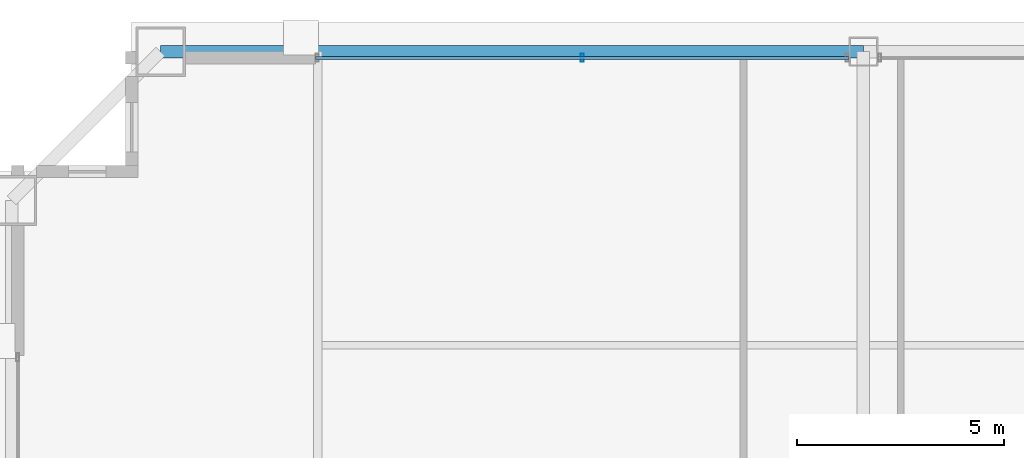
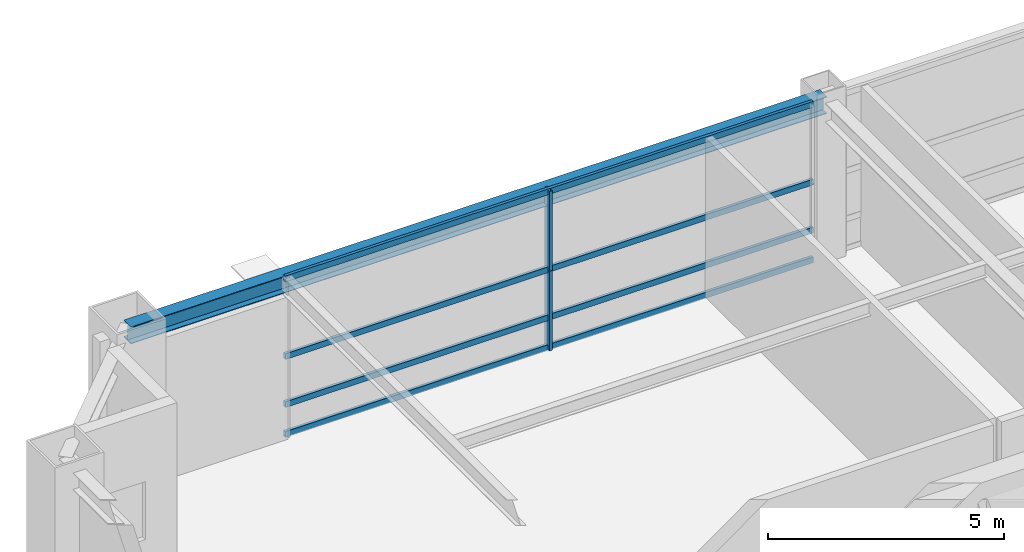
# One storey, part 18 of 26: 6 members, 1 beam, 1 element without a shape of its own.
"""IFC4 building model written with IfcOpenShell, lengths in metres."""

from ifc_helpers import new_model, si_unit, direction, frame, origin, origin_2d, place, context, subcontext, project, spatial, hollow_rectangle, i_section, extrude, source, transform, mapped, material, layer, layer_set, material_profile, profile_set, type_object, element, aggregate, save


model = new_model("IFC4")

# Units and contexts
model_context = context("Model", 3, precision=1e-05, world=origin(), true_north=direction((0.0, 1.0)))
body_context = subcontext(model_context, "Body", "Model", "MODEL_VIEW")
ifc_project = project(units=[si_unit("LENGTHUNIT", "METRE"), si_unit("AREAUNIT", "SQUARE_METRE"), si_unit("VOLUMEUNIT", "CUBIC_METRE"), si_unit("PLANEANGLEUNIT", "RADIAN"), si_unit("MASSUNIT", "GRAM", prefix="KILO"), si_unit("THERMODYNAMICTEMPERATUREUNIT", "KELVIN"), si_unit("POWERUNIT", "WATT")], contexts=[model_context])

# Site, building, storey
site_placement = place(None, origin())
site = spatial("IfcSite", under=ifc_project, at=site_placement, CompositionType="ELEMENT")
building_placement = place(site_placement, origin())
building = spatial("IfcBuilding", under=site, at=building_placement, Name="Yuzanri Waterfront Tower", CompositionType="ELEMENT")
storey_placement = place(building_placement, frame((0.0, 0.0, 259.10009765625)))
storey = spatial("IfcBuildingStorey", under=building, at=storey_placement, Name="L69", CompositionType="ELEMENT", Elevation=259.10009765625)

# Beam
ifc_material_1 = material(Name="Steel Q355B", Category="steel")
ifc_material_profile_1 = material_profile(ifc_material_1, i_section(OverallWidth=0.300048828125, OverallDepth=0.43994140625, WebThickness=0.010986328125, FlangeThickness=0.01806640625, at=origin_2d()), Name="HM 440x300x11x18")
ifc_profile_set_1 = profile_set([ifc_material_profile_1], Name="Steel Q355B")
beam_type = type_object("IfcBeamType", Name="Perimeter Spandrel Q355B HM 440x300", PredefinedType="SPANDREL", material=ifc_profile_set_1)
shared_shape_1 = source(origin(), body_context, "Body", "SweptSolid", [
    extrude(i_section(OverallWidth=0.300048828125, OverallDepth=0.43994140625, WebThickness=0.010986328125, FlangeThickness=0.01806640625, at=origin_2d()), origin(), (0.0, 0.0, 1.0), 17.0),
])
beam_placement = place(storey_placement, frame((37.0, 46.39990234375, 3.89990234375), z_axis=(-1.0, 0.0, 0.0), x_axis=(0.0, -1.0, 0.0)))
element("IfcBeam", 1, at=beam_placement, inside=storey, type_object=beam_type, Name="L69 Perimeter Spandrel N2-N1", PredefinedType="SPANDREL", context=body_context, shape_type="MappedRepresentation", body=[
    mapped(shared_shape_1, transform((0.0, 0.0, 0.0), scale=1.0)),
])

# Curtain wall, members
ifc_material_2 = material(Name="Anodized Architectural Bronze", Category="metal")
ifc_layer = layer(ifc_material_2, 0.159912109375)
ifc_layer_set = layer_set([ifc_layer], Name="Anodized Architectural Bronze")
curtain_wall_type = type_object("IfcCurtainWallType", Name="Anodized Bronze Sky-Lobby Triple-Glazed Feature Curtain Wall 7500", PredefinedType="NOTDEFINED", material=ifc_layer_set)
curtain_wall_placement = place(storey_placement, origin())
curtain_wall = element("IfcCurtainWall", 2, at=curtain_wall_placement, inside=storey, type_object=curtain_wall_type, Name="L69 Curtain Wall CW-L69-NL", PredefinedType="NOTDEFINED")
ifc_material_3 = material(Name="Anodized Architectural Bronze", Category="metal")
ifc_material_profile_2 = material_profile(ifc_material_3, hollow_rectangle(XDim=0.074951171875, YDim=0.199951171875, WallThickness=0.00390625, at=origin_2d()), Name="CWM 75x200")
ifc_profile_set_2 = profile_set([ifc_material_profile_2], Name="Anodized Architectural Bronze")
member_type_1 = type_object("IfcMemberType", Name="Anodized Bronze Primary Curtain-Wall Mullion 75x200", PredefinedType="MULLION", material=ifc_profile_set_2)
shared_shape_2 = source(origin(), body_context, "Body", "SweptSolid", [
    extrude(hollow_rectangle(XDim=0.074951171875, YDim=0.199951171875, WallThickness=0.00390625, at=origin_2d()), origin(), (0.0, 0.0, 1.0), 2.057861328125),
])
member_1_placement = place(storey_placement, frame((30.199951171875, 46.25, 0.0), z_axis=(0.0, 0.0, 1.0), x_axis=(1.0, 0.0, 0.0)))
member_1 = element("IfcMember", 3, at=member_1_placement, type_object=member_type_1, Name="CW-L69-NL Lower Mullion 01", PredefinedType="MULLION", context=body_context, shape_type="MappedRepresentation", body=[
    mapped(shared_shape_2, transform((0.0, 0.0, 0.0), scale=1.0)),
])
member_2_placement = place(storey_placement, frame((30.199951171875, 46.25, 2.06201171875), z_axis=(0.0, 0.0, 1.0), x_axis=(1.0, 0.0, 0.0)))
member_2 = element("IfcMember", 4, at=member_2_placement, type_object=member_type_1, Name="CW-L69-NL Upper Mullion 01", PredefinedType="MULLION", context=body_context, shape_type="MappedRepresentation", body=[
    mapped(shared_shape_2, transform((0.0, 0.0, 0.0), scale=1.0)),
])
ifc_material_4 = material(Name="Anodized Architectural Bronze", Category="metal")
ifc_material_profile_3 = material_profile(ifc_material_4, hollow_rectangle(XDim=0.074951171875, YDim=0.14990234375, WallThickness=0.00390625, at=origin_2d()), Name="CWT 75x150")
ifc_profile_set_3 = profile_set([ifc_material_profile_3], Name="Anodized Architectural Bronze")
member_type_2 = type_object("IfcMemberType", Name="Anodized Bronze Primary Curtain-Wall Transom 75x150", PredefinedType="USERDEFINED", material=ifc_profile_set_3)
shared_shape_3 = source(origin(), body_context, "Body", "SweptSolid", [
    extrude(hollow_rectangle(XDim=0.074951171875, YDim=0.14990234375, WallThickness=0.00390625, at=origin_2d()), origin(), (0.0, 0.0, 1.0), 12.89990234375),
])
member_3_placement = place(storey_placement, frame((23.75, 46.25, 0.0498046875), z_axis=(1.0, 0.0, 0.0), x_axis=(0.0, 1.0, 0.0)))
member_3 = element("IfcMember", 5, at=member_3_placement, type_object=member_type_2, Name="CW-L69-NL Transom 1", ObjectType="TRANSOM", PredefinedType="USERDEFINED", context=body_context, shape_type="MappedRepresentation", body=[
    mapped(shared_shape_3, transform((0.0, 0.0, 0.0), scale=1.0)),
])
member_4_placement = place(storey_placement, frame((23.75, 46.25, 0.81982421875), z_axis=(1.0, 0.0, 0.0), x_axis=(0.0, 1.0, 0.0)))
member_4 = element("IfcMember", 6, at=member_4_placement, type_object=member_type_2, Name="CW-L69-NL Transom 2", ObjectType="TRANSOM", PredefinedType="USERDEFINED", context=body_context, shape_type="MappedRepresentation", body=[
    mapped(shared_shape_3, transform((0.0, 0.0, 0.0), scale=1.0)),
])
member_5_placement = place(storey_placement, frame((23.75, 46.25, 2.059814453125), z_axis=(1.0, 0.0, 0.0), x_axis=(0.0, 1.0, 0.0)))
member_5 = element("IfcMember", 7, at=member_5_placement, type_object=member_type_2, Name="CW-L69-NL Transom 3", ObjectType="TRANSOM", PredefinedType="USERDEFINED", context=body_context, shape_type="MappedRepresentation", body=[
    mapped(shared_shape_3, transform((0.0, 0.0, 0.0), scale=1.0)),
])
member_6_placement = place(storey_placement, frame((23.75, 46.25, 4.06982421875), z_axis=(1.0, 0.0, 0.0), x_axis=(0.0, 1.0, 0.0)))
member_6 = element("IfcMember", 8, at=member_6_placement, type_object=member_type_2, Name="CW-L69-NL Transom 4", ObjectType="TRANSOM", PredefinedType="USERDEFINED", context=body_context, shape_type="MappedRepresentation", body=[
    mapped(shared_shape_3, transform((0.0, 0.0, 0.0), scale=1.0)),
])
aggregate(curtain_wall, [member_1, member_2, member_3, member_4, member_5, member_6])

save(model, "model.ifc")
